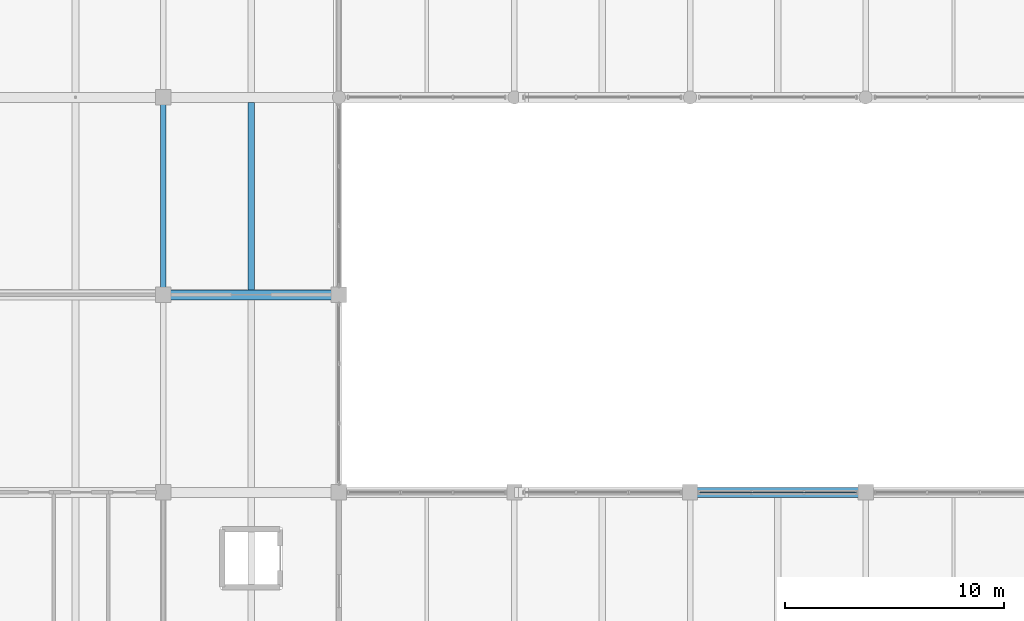
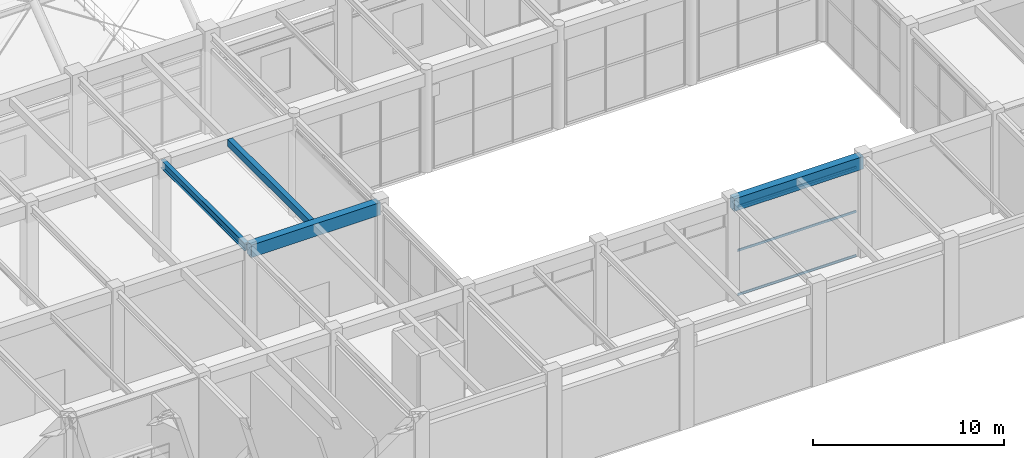
# One storey, part 33 of 163: 4 beams, 3 members, 1 element without a shape of its own.
"""IFC4 building model written with IfcOpenShell, lengths in metres."""

from ifc_helpers import new_model, si_unit, direction, frame, origin, origin_2d, place, context, subcontext, project, spatial, rectangle, hollow_rectangle, i_section, extrude, material, material_profile, profile_set, type_object, element, aggregate, save


model = new_model("IFC4")

# Units and contexts
model_context = context("Model", 3, precision=1e-05, world=origin(), true_north=direction((0.0, 1.0)))
body_context = subcontext(model_context, "Body", "Model", "MODEL_VIEW")
ifc_project = project(units=[si_unit("LENGTHUNIT", "METRE"), si_unit("AREAUNIT", "SQUARE_METRE"), si_unit("VOLUMEUNIT", "CUBIC_METRE"), si_unit("PLANEANGLEUNIT", "RADIAN"), si_unit("MASSUNIT", "GRAM", prefix="KILO")], contexts=[model_context])

# Site, building, storey
site_placement = place(None, origin())
site = spatial("IfcSite", under=ifc_project, at=site_placement, CompositionType="ELEMENT")
building_placement = place(site_placement, origin())
building = spatial("IfcBuilding", under=site, at=building_placement, Name="Varnabhumi Central Station", CompositionType="ELEMENT")
storey_placement = place(building_placement, frame((0.0, 0.0, 9.60009765625)))
storey = spatial("IfcBuildingStorey", under=building, at=storey_placement, Name="L02", CompositionType="ELEMENT", Elevation=9.60009765625)

# Beams
ifc_material_1 = material(Name="Concrete M40", Category="concrete")
ifc_material_profile_1 = material_profile(ifc_material_1, rectangle(XDim=0.300048828125, YDim=0.449951171875, at=origin_2d()), Name="Concrete M40", Category="concrete")
ifc_profile_set_1 = profile_set([ifc_material_profile_1], Name="Concrete M40")
beam_type_1 = type_object("IfcBeamType", Name="BM-RC-300x450", PredefinedType="JOIST", material=ifc_profile_set_1)
beam_1_placement = place(storey_placement, frame((108.0, 18.22509765625, 6.125), z_axis=(0.0, 1.0, 0.0), x_axis=(-1.0, 0.0, 0.0)))
element("IfcBeam", 1, at=beam_1_placement, inside=storey, type_object=beam_type_1, Name="Secondary Joist L02-14/15:C-D", PredefinedType="JOIST", context=body_context, shape_type="SweptSolid", body=[
    extrude(rectangle(XDim=0.300048828125, YDim=0.449951171875, at=origin_2d()), origin(), (0.0, 0.0, 1.0), 8.5498046875),
])
ifc_material_profile_2 = material_profile(ifc_material_1, rectangle(XDim=0.449951171875, YDim=0.800048828125, at=origin_2d()), Name="Concrete M40", Category="concrete")
ifc_profile_set_2 = profile_set([ifc_material_profile_2], Name="Concrete M40")
beam_type_2 = type_object("IfcBeamType", Name="BM-RC-450x800", PredefinedType="BEAM", material=ifc_profile_set_2)
for number, where, z_axis, x_axis, name in (
    (2, (104.10009765625, 18.0, 5.949951171875), (1.0, 0.0, 0.0), (0.0, 1.0, 0.0), "Beam L02-C:14-15"),
    (3, (128.10009765625, 9.0, 5.949951171875), (1.0, 0.0, 0.0), (0.0, 1.0, 0.0), "Beam L02-B:17-18"),
):
    element("IfcBeam", number, at=place(storey_placement, frame(where, z_axis=z_axis, x_axis=x_axis)), inside=storey, type_object=beam_type_2, Name=name, PredefinedType="BEAM", context=body_context, shape_type="SweptSolid", body=[
        extrude(rectangle(XDim=0.449951171875, YDim=0.800048828125, at=origin_2d()), origin(), (0.0, 0.0, 1.0), 7.7998046875),
    ])
ifc_material_2 = material(Name="Structural steel E350", Category="steel")
ifc_material_profile_3 = material_profile(ifc_material_2, i_section(OverallWidth=0.25, OverallDepth=0.5, WebThickness=0.010009765625, FlangeThickness=0.0146484375, FilletRadius=0.014892578125, at=origin_2d()), Name="Structural steel E350", Category="steel")
ifc_profile_set_3 = profile_set([ifc_material_profile_3], Name="Structural steel E350")
beam_type_3 = type_object("IfcBeamType", Name="BM-SEC-ISWB500", PredefinedType="BEAM", material=ifc_profile_set_3)
beam_2_placement = place(storey_placement, frame((104.0, 18.10009765625, 6.099853515625), z_axis=(0.0, 1.0, 0.0), x_axis=(-1.0, 0.0, 0.0)))
element("IfcBeam", 4, at=beam_2_placement, inside=storey, type_object=beam_type_3, Name="Beam L02-14:C-D", PredefinedType="BEAM", context=body_context, shape_type="SweptSolid", body=[
    extrude(i_section(OverallWidth=0.25, OverallDepth=0.5, WebThickness=0.010009765625, FlangeThickness=0.0146484375, FilletRadius=0.014892578125, at=origin_2d()), origin(), (0.0, 0.0, 1.0), 8.7998046875),
])

# Curtain wall, members
ifc_material_3 = material(Name="Anodised aluminium 6063-T6", Category="aluminium")
curtain_wall_type = type_object("IfcCurtainWallType", Name="CW-PATIO-LOGGIA-L2", PredefinedType="NOTDEFINED", material=ifc_material_3)
curtain_wall_placement = place(storey_placement, origin())
curtain_wall = element("IfcCurtainWall", 5, at=curtain_wall_placement, inside=storey, type_object=curtain_wall_type, Name="Curtain Wall CW-SP2S3", PredefinedType="NOTDEFINED")
ifc_material_profile_4 = material_profile(ifc_material_3, hollow_rectangle(XDim=0.06005859375, YDim=0.14990234375, WallThickness=0.00390625, InnerFilletRadius=0.001953125, OuterFilletRadius=0.006103515625, at=origin_2d()), Name="Anodised aluminium 6063-T6", Category="aluminium")
ifc_profile_set_4 = profile_set([ifc_material_profile_4], Name="Anodised aluminium 6063-T6")
member_type = type_object("IfcMemberType", Name="CW-TR-150", PredefinedType="USERDEFINED", material=ifc_profile_set_4)
member_1_placement = place(storey_placement, frame((128.419921875, 9.0, 0.0), z_axis=(1.0, 0.0, 0.0), x_axis=(0.0, 1.0, 0.0)))
member_1 = element("IfcMember", 6, at=member_1_placement, type_object=member_type, Name="Curtain Wall Transom CW-SP2S3-T1", ObjectType="TRANSOM", PredefinedType="USERDEFINED", context=body_context, shape_type="SweptSolid", body=[
    extrude(hollow_rectangle(XDim=0.06005859375, YDim=0.14990234375, WallThickness=0.00390625, InnerFilletRadius=0.001953125, OuterFilletRadius=0.006103515625, at=origin_2d()), origin(), (0.0, 0.0, 1.0), 7.16015625),
])
member_2_placement = place(storey_placement, frame((128.419921875, 9.0, 2.81982421875), z_axis=(1.0, 0.0, 0.0), x_axis=(0.0, 1.0, 0.0)))
member_2 = element("IfcMember", 7, at=member_2_placement, type_object=member_type, Name="Curtain Wall Transom CW-SP2S3-T2", ObjectType="TRANSOM", PredefinedType="USERDEFINED", context=body_context, shape_type="SweptSolid", body=[
    extrude(hollow_rectangle(XDim=0.06005859375, YDim=0.14990234375, WallThickness=0.00390625, InnerFilletRadius=0.001953125, OuterFilletRadius=0.006103515625, at=origin_2d()), origin(), (0.0, 0.0, 1.0), 7.16015625),
])
member_3_placement = place(storey_placement, frame((128.419921875, 9.0, 5.639892578125), z_axis=(1.0, 0.0, 0.0), x_axis=(0.0, 1.0, 0.0)))
member_3 = element("IfcMember", 8, at=member_3_placement, type_object=member_type, Name="Curtain Wall Transom CW-SP2S3-T3", ObjectType="TRANSOM", PredefinedType="USERDEFINED", context=body_context, shape_type="SweptSolid", body=[
    extrude(hollow_rectangle(XDim=0.06005859375, YDim=0.14990234375, WallThickness=0.00390625, InnerFilletRadius=0.001953125, OuterFilletRadius=0.006103515625, at=origin_2d()), origin(), (0.0, 0.0, 1.0), 7.16015625),
])
aggregate(curtain_wall, [member_1, member_2, member_3])

save(model, "model.ifc")
